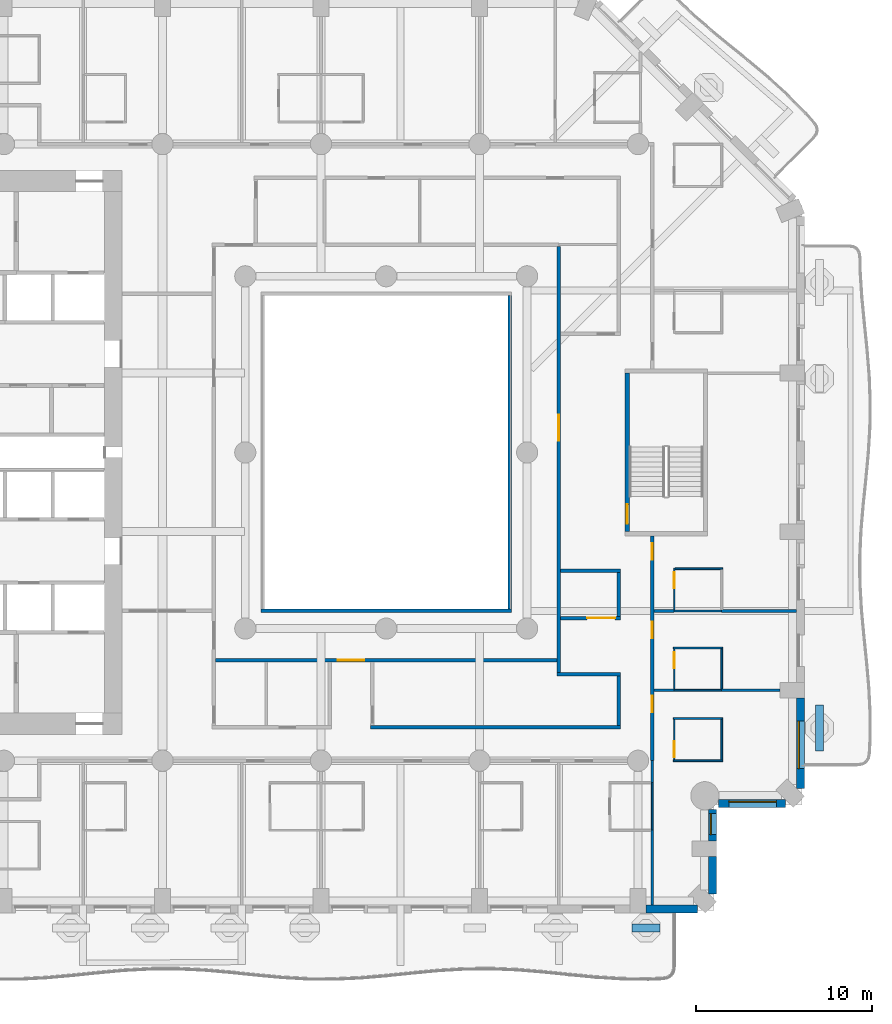
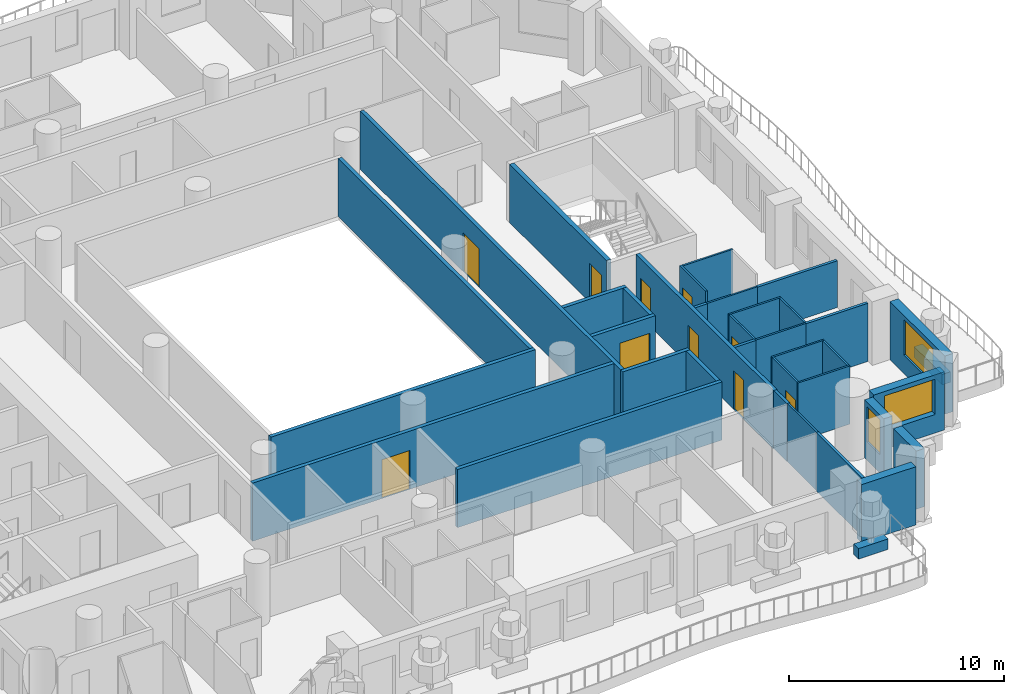
# One storey, part 6 of 20: 37 walls, 10 doors, 3 windows, 13 openings.
"""IFC4 building model written with IfcOpenShell, lengths in metres."""

import ifcopenshell
import ifcopenshell.guid

model = None  # the IFC model being written
_history = None  # IfcOwnerHistory: only IFC2X3 demands one
_inside = {}  # id of a spatial element -> (the spatial element, [elements in it])
_under = {}  # id of a project, library or spatial element -> (it, [spatial elements below it])
_declared = {}  # id of a project -> (the project, [libraries it declares])
_typed = {}  # id of a type object -> (the type object, [elements of that type])
_made_of = {}  # id of a material, layer set ... -> (it, [elements and type objects made of it])


def new_model(schema):
    """Start an empty IFC model of exactly this schema.

    Asked for "IFC4X3", IfcOpenShell would pick the latest addendum, in which some entities
    have other attributes; the version numbers below select the first issue.
    IFC2X3 requires an IfcOwnerHistory on every rooted entity: one is made here for all.
    """
    global model, _history
    if schema == "IFC4X3":
        model = ifcopenshell.file(schema_version=(4, 3, 0, 0))
    else:
        model = ifcopenshell.file(schema=schema)
    _inside.clear()
    _under.clear()
    _declared.clear()
    _typed.clear()
    _made_of.clear()
    _history = None
    if model.schema == "IFC2X3":
        org = make("IfcOrganization", Name="unknown")
        user = make(
            "IfcPersonAndOrganization",
            ThePerson=make("IfcPerson", FamilyName="unknown"),
            TheOrganization=org,
        )
        app = make(
            "IfcApplication",
            ApplicationDeveloper=org,
            Version="unknown",
            ApplicationFullName="unknown",
            ApplicationIdentifier="unknown",
        )
        _history = make(
            "IfcOwnerHistory",
            OwningUser=user,
            OwningApplication=app,
            ChangeAction="ADDED",
            CreationDate=0,
        )
    return model


def make(cls, **values):
    """One entity of the class cls with the attributes given. An attribute that is None is left unset."""
    return model.create_entity(
        cls, **{name: value for name, value in values.items() if value is not None}
    )


def rooted(cls, **values):
    """An entity with a GlobalId (a new one), such as an element, a storey or a relation."""
    return make(cls, GlobalId=ifcopenshell.guid.new(), OwnerHistory=_history, **values)


def si_unit(unit_type, name, prefix=None):
    """IfcSIUnit, for example si_unit("LENGTHUNIT", "METRE", prefix="MILLI")."""
    return make("IfcSIUnit", UnitType=unit_type, Prefix=prefix, Name=name)


def assignment(units):
    """IfcUnitAssignment: the units of a project."""
    return None if units is None else make("IfcUnitAssignment", Units=units)


def point(xyz):
    """IfcCartesianPoint."""
    return None if xyz is None else make("IfcCartesianPoint", Coordinates=xyz)


def direction(xyz):
    """IfcDirection."""
    return None if xyz is None else make("IfcDirection", DirectionRatios=xyz)


def frame(location, z_axis=None, x_axis=None):
    """IfcAxis2Placement3D, a coordinate frame: its origin and axes. An axis left out is left unset."""
    return make(
        "IfcAxis2Placement3D",
        Location=point(location),
        Axis=direction(z_axis),
        RefDirection=direction(x_axis),
    )


def frame_2d(location, x_axis=None):
    """IfcAxis2Placement2D, a coordinate frame in the plane: its origin and x axis."""
    return make(
        "IfcAxis2Placement2D", Location=point(location), RefDirection=direction(x_axis)
    )


def origin():
    """The frame at (0, 0, 0) with its axes left unset."""
    return frame((0.0, 0.0, 0.0))


def place(relative_to, where):
    """IfcLocalPlacement: puts the frame where relative to a parent placement (None: the world)."""
    return make(
        "IfcLocalPlacement", PlacementRelTo=relative_to, RelativePlacement=where
    )


def context(
    kind, dimensions, precision=None, world=None, true_north=None, identifier=None
):
    """IfcGeometricRepresentationContext, for example the 3D "Model" context."""
    return make(
        "IfcGeometricRepresentationContext",
        ContextIdentifier=identifier,
        ContextType=kind,
        CoordinateSpaceDimension=dimensions,
        Precision=precision,
        WorldCoordinateSystem=world,
        TrueNorth=true_north,
    )


def subcontext(parent, identifier, kind, view, scale=None):
    """IfcGeometricRepresentationSubContext, for example "Body" below "Model"."""
    return make(
        "IfcGeometricRepresentationSubContext",
        ContextIdentifier=identifier,
        ContextType=kind,
        ParentContext=parent,
        TargetScale=scale,
        TargetView=view,
    )


def project(units=None, contexts=None):
    """IfcProject with its units and contexts."""
    return rooted(
        "IfcProject",
        Name="project",
        RepresentationContexts=contexts,
        UnitsInContext=assignment(units),
    )


def spatial(cls, under=None, at=None, **own):
    """A site, building, storey or space (cls), placed at a placement, below another one or the project."""
    s = rooted(cls, ObjectPlacement=at, **own)
    if under is not None:
        _under.setdefault(under.id(), (under, []))[1].append(s)
    return s


def profile(cls, at=None, kind="AREA", **sizes):
    """A parametric profile (cls). Its sizes go by their IFC names, for example OverallWidth=200.0."""
    return make(cls, ProfileType=kind, Position=at, **sizes)


def rectangle(**sizes):
    """IfcRectangleProfileDef."""
    return profile("IfcRectangleProfileDef", **sizes)


def extrude(swept, where, along, depth):
    """IfcExtrudedAreaSolid: the profile swept, set in the frame where, extruded along a direction by depth."""
    return make(
        "IfcExtrudedAreaSolid",
        SweptArea=swept,
        Position=where,
        ExtrudedDirection=direction(along),
        Depth=depth,
    )


def shape(context_of_items, identifier, shape_type, items):
    """IfcShapeRepresentation: the items that make up one representation, for example the "Body"."""
    return make(
        "IfcShapeRepresentation",
        ContextOfItems=context_of_items,
        RepresentationIdentifier=identifier,
        RepresentationType=shape_type,
        Items=items,
    )


def material(Name=None, Category=None):
    """IfcMaterial."""
    return make("IfcMaterial", Name=Name, Category=Category)


def layer(
    of_material, thickness, ventilated=None, Name=None, Category=None, Priority=None
):
    """IfcMaterialLayer: one layer of a wall or slab, of a material (None: an air gap)."""
    return make(
        "IfcMaterialLayer",
        Material=of_material,
        LayerThickness=thickness,
        IsVentilated=ventilated,
        Name=Name,
        Category=Category,
        Priority=Priority,
    )


def layer_set(layers, Name=None):
    """IfcMaterialLayerSet."""
    return make("IfcMaterialLayerSet", MaterialLayers=layers, LayerSetName=Name)


def made_of(thing, what):
    """Note that an element or type object is made of a material, layer set ...; save() writes the relation."""
    if what is not None:
        _made_of.setdefault(what.id(), (what, []))[1].append(thing)
    return thing


def type_object(cls, material=None, **own):
    """A type object (cls), such as IfcWallType, which elements share."""
    return made_of(rooted(cls, **own), material)


def element(
    cls,
    number,
    at=None,
    inside=None,
    cuts=None,
    type_object=None,
    material=None,
    context=None,
    identifier="Body",
    shape_type=None,
    held_by="IfcProductDefinitionShape",
    body=None,
    shapes=None,
    **own,
):
    """One element of the class cls, such as IfcWall. Its Tag is "e" and its number.

    at: its placement. inside: the storey or other place that contains it. cuts: it is an
    opening in that element (IfcRelVoidsElement). A single representation is given by context,
    identifier, shape_type and body (its items); several are given by shapes. held_by: the class
    of the entity that holds the representations. save() writes the other relations.
    """
    e = rooted(cls, Tag="e%d" % number, ObjectPlacement=at, **own)
    if body is not None:
        shapes = [shape(context, identifier, shape_type, body)]
    if shapes is not None:
        e.Representation = make(held_by, Representations=shapes)
    if inside is not None:
        _inside.setdefault(inside.id(), (inside, []))[1].append(e)
    if cuts is not None:
        rooted(
            "IfcRelVoidsElement", RelatingBuildingElement=cuts, RelatedOpeningElement=e
        )
    if type_object is not None:
        _typed.setdefault(type_object.id(), (type_object, []))[1].append(e)
    return made_of(e, material)


def fill(opening, filler):
    """IfcRelFillsElement: the door or window that sits in an opening."""
    return rooted(
        "IfcRelFillsElement",
        RelatingOpeningElement=opening,
        RelatedBuildingElement=filler,
    )


def aggregate(whole, parts):
    """IfcRelAggregates: a whole, such as a stair, and the parts it consists of."""
    return rooted("IfcRelAggregates", RelatingObject=whole, RelatedObjects=parts)


def save(model, path):
    """Write the relations noted so far, then the file.

    IfcRelAggregates (storeys below a building ...), IfcRelContainedInSpatialStructure (elements
    in a storey), IfcRelDefinesByType, IfcRelAssociatesMaterial and IfcRelDeclares: one each for
    every whole, place, type object, material and project.
    """
    for whole, parts in _under.values():
        aggregate(whole, parts)
    for where, things in _inside.values():
        rooted(
            "IfcRelContainedInSpatialStructure",
            RelatedElements=things,
            RelatingStructure=where,
        )
    for kind, things in _typed.values():
        rooted("IfcRelDefinesByType", RelatedObjects=things, RelatingType=kind)
    for what, things in _made_of.values():
        rooted("IfcRelAssociatesMaterial", RelatedObjects=things, RelatingMaterial=what)
    for by, libraries in _declared.values():
        rooted("IfcRelDeclares", RelatingContext=by, RelatedDefinitions=libraries)
    model.write(path)


model = new_model("IFC4")

# Units and contexts
model_context = context("Model", 3, precision=1e-05, world=origin(), true_north=direction((0.0, 1.0)))
body_context = subcontext(model_context, "Body", "Model", "MODEL_VIEW")
ifc_project = project(units=[si_unit("LENGTHUNIT", "METRE"), si_unit("AREAUNIT", "SQUARE_METRE"), si_unit("VOLUMEUNIT", "CUBIC_METRE"), si_unit("PLANEANGLEUNIT", "RADIAN"), si_unit("MASSUNIT", "GRAM", prefix="KILO")], contexts=[model_context])

# Site, building, storey
site_placement = place(None, origin())
site = spatial("IfcSite", under=ifc_project, at=site_placement, CompositionType="ELEMENT")
building_placement = place(site_placement, origin())
building = spatial("IfcBuilding", under=site, at=building_placement, Name="Cypress Arch Tower", CompositionType="ELEMENT")
storey_placement = place(building_placement, frame((0.0, 0.0, 95.10009765625)))
storey = spatial("IfcBuildingStorey", under=building, at=storey_placement, Name="L18", CompositionType="ELEMENT", Elevation=95.10009765625)

# Walls
ifc_material_1 = material(Name="Concrete C40/50, waterproofed", Category="concrete")
ifc_layer_1 = layer(ifc_material_1, 0.449951171875)
ifc_layer_set_1 = layer_set([ifc_layer_1], Name="Balcony planter wall PW450")
wall_type_1 = type_object("IfcWallType", Name="Balcony planter wall PW450", PredefinedType="SOLIDWALL", material=ifc_layer_set_1)
wall_1_placement = place(storey_placement, frame((14.949951171875, -27.0, 0.0), z_axis=(0.0, 0.0, 1.0), x_axis=(1.0, 0.0, 0.0)))
element("IfcWall", 1, at=wall_1_placement, inside=storey, type_object=wall_type_1, Name="Balcony planter wall L18-A03.7", PredefinedType="SOLIDWALL", context=body_context, shape_type="SweptSolid", body=[
    extrude(rectangle(XDim=1.60009765625, YDim=0.449951171875, at=frame_2d((0.800048828125, 0.0))), origin(), (0.0, 0.0, 1.0), 0.599853515625),
])
wall_2_placement = place(storey_placement, frame((25.60009765625, -16.949951171875, 0.0), z_axis=(0.0, 0.0, 1.0), x_axis=(0.0, 1.0, 0.0)))
element("IfcWall", 2, at=wall_2_placement, inside=storey, type_object=wall_type_1, Name="Balcony planter wall L18-A06.1", PredefinedType="SOLIDWALL", context=body_context, shape_type="SweptSolid", body=[
    extrude(rectangle(XDim=2.6142578125, YDim=0.449951171875, at=frame_2d((1.30712890625, 0.0))), origin(), (0.0, 0.0, 1.0), 0.599853515625),
])
ifc_material_2 = material(Name="Brick (red buff blend)", Category="masonry")
ifc_layer_2 = layer(ifc_material_2, 0.449951171875)
ifc_layer_set_2 = layer_set([ifc_layer_2], Name="Brick pier and spandrel wall BW450")
wall_type_2 = type_object("IfcWallType", Name="Brick pier and spandrel wall BW450", PredefinedType="SOLIDWALL", material=ifc_layer_set_2)
wall_3_placement = place(storey_placement, frame((15.75, -25.925048828125, 0.0), z_axis=(0.0, 0.0, 1.0), x_axis=(1.0, 0.0, 0.0)))
element("IfcWall", 3, at=wall_3_placement, inside=storey, type_object=wall_type_2, Name="Brick wall L18 A03.5", PredefinedType="SOLIDWALL", context=body_context, shape_type="SweptSolid", body=[
    extrude(rectangle(XDim=2.91357421875, YDim=0.449951171875, at=frame_2d((1.456787109375, 0.0))), origin(), (0.0, 0.0, 1.0), 3.2998046875),
])
wall_4_placement = place(storey_placement, frame((19.52490234375, -25.063720703125, 0.0), z_axis=(0.0, 0.0, 1.0), x_axis=(0.0, 1.0, 0.0)))
element("IfcWall", 4, at=wall_4_placement, inside=storey, type_object=wall_type_2, Name="Brick wall L18 A04.0", PredefinedType="SOLIDWALL", context=body_context, shape_type="SweptSolid", body=[
    extrude(rectangle(XDim=2.11376953125, YDim=0.449951171875, at=frame_2d((1.056884765625, 0.0))), origin(), (0.0, 0.0, 1.0), 3.2998046875),
])

# Wall, opening, window
wall_5_placement = place(storey_placement, frame((19.52490234375, -22.050048828125, 0.0), z_axis=(0.0, 0.0, 1.0), x_axis=(0.0, 1.0, 0.0)))
wall_5 = element("IfcWall", 5, at=wall_5_placement, inside=storey, type_object=wall_type_2, Name="Brick wall L18 A04.1", PredefinedType="SOLIDWALL", context=body_context, shape_type="SweptSolid", body=[
    extrude(rectangle(XDim=1.79150390625, YDim=0.449951171875, at=frame_2d((0.895751953125, 0.0))), origin(), (0.0, 0.0, 1.0), 3.2998046875),
])
opening_1_placement = place(wall_5_placement, frame((0.35009765625, 0.0, 1.050048828125)))
opening_1 = element("IfcOpeningElement", 6, at=opening_1_placement, cuts=wall_5, Name="Opening W120H", PredefinedType="OPENING", context=body_context, shape_type="SweptSolid", body=[
    extrude(rectangle(XDim=1.199951171875, YDim=2.0, at=frame_2d((0.60009765625, 1.0))), frame((0.0, 0.23486328125, 0.0), z_axis=(0.0, -1.0, 0.0), x_axis=(1.0, 0.0, 0.0)), (0.0, 0.0, 1.0), 0.469970703125),
])
ifc_material_3 = material(Name="Anodised aluminium, bronze finish, clear low-emissivity double glazing", Category="aluminium")
window_type_1 = type_object("IfcWindowType", Name="Window Hotel 1200x2000", PartitioningType="SINGLE_PANEL", PredefinedType="WINDOW", material=ifc_material_3)
window_1_placement = place(opening_1_placement, origin())
window_1 = element("IfcWindow", 7, at=window_1_placement, inside=storey, type_object=window_type_1, Name="Window L18 A04.1.1", OverallHeight=2.0, OverallWidth=1.199951171875, PartitioningType="SINGLE_PANEL", PredefinedType="WINDOW", context=body_context, shape_type="SweptSolid", body=[
    extrude(rectangle(XDim=1.199951171875, YDim=2.0, at=frame_2d((0.60009765625, 1.0))), frame((0.0, 0.135009765625, 0.0), z_axis=(0.0, -1.0, 0.0), x_axis=(1.0, 0.0, 0.0)), (0.0, 0.0, 1.0), 0.06005859375),
])
fill(opening_1, window_1)

wall_6_placement = place(storey_placement, frame((19.8583984375, -19.925048828125, 0.0), z_axis=(0.0, 0.0, 1.0), x_axis=(1.0, 0.0, 0.0)))
wall_6 = element("IfcWall", 8, at=wall_6_placement, inside=storey, type_object=wall_type_2, Name="Brick wall L18 A05.0", PredefinedType="SOLIDWALL", context=body_context, shape_type="SweptSolid", body=[
    extrude(rectangle(XDim=3.80517578125, YDim=0.449951171875, at=frame_2d((1.902587890625, 0.0))), origin(), (0.0, 0.0, 1.0), 3.2998046875),
])
opening_2_placement = place(wall_6_placement, frame((0.591552734375, 0.0, 1.050048828125)))
opening_2 = element("IfcOpeningElement", 9, at=opening_2_placement, cuts=wall_6, Name="Opening W270H", PredefinedType="OPENING", context=body_context, shape_type="SweptSolid", body=[
    extrude(rectangle(XDim=2.699951171875, YDim=2.0, at=frame_2d((1.35009765625, 1.0))), frame((0.0, 0.23486328125, 0.0), z_axis=(0.0, -1.0, 0.0), x_axis=(1.0, 0.0, 0.0)), (0.0, 0.0, 1.0), 0.469970703125),
])
ifc_material_4 = material(Name="Anodised aluminium, bronze finish, clear low-emissivity double glazing", Category="aluminium")
window_type_2 = type_object("IfcWindowType", Name="Window Hotel 2700x2000", PartitioningType="SINGLE_PANEL", PredefinedType="WINDOW", material=ifc_material_4)
window_2_placement = place(opening_2_placement, origin())
window_2 = element("IfcWindow", 10, at=window_2_placement, inside=storey, type_object=window_type_2, Name="Window L18 A05.0.1", OverallHeight=2.0, OverallWidth=2.699951171875, PartitioningType="SINGLE_PANEL", PredefinedType="WINDOW", context=body_context, shape_type="SweptSolid", body=[
    extrude(rectangle(XDim=2.699951171875, YDim=2.0, at=frame_2d((1.35009765625, 1.0))), frame((0.0, 0.135009765625, 0.0), z_axis=(0.0, -1.0, 0.0), x_axis=(1.0, 0.0, 0.0)), (0.0, 0.0, 1.0), 0.06005859375),
])
fill(opening_2, window_2)

wall_7_placement = place(storey_placement, frame((24.52490234375, -19.063720703125, 0.0), z_axis=(0.0, 0.0, 1.0), x_axis=(0.0, 1.0, 0.0)))
wall_7 = element("IfcWall", 11, at=wall_7_placement, inside=storey, type_object=wall_type_2, Name="Brick wall L18 A06.0", PredefinedType="SOLIDWALL", context=body_context, shape_type="SweptSolid", body=[
    extrude(rectangle(XDim=5.11376953125, YDim=0.449951171875, at=frame_2d((2.556884765625, 0.0))), origin(), (0.0, 0.0, 1.0), 3.2998046875),
])
opening_3_placement = place(wall_7_placement, frame((1.113525390625, 0.0, 1.050048828125)))
opening_3 = element("IfcOpeningElement", 12, at=opening_3_placement, cuts=wall_7, Name="Opening W270HD", PredefinedType="OPENING", context=body_context, shape_type="SweptSolid", body=[
    extrude(rectangle(XDim=2.699951171875, YDim=2.0, at=frame_2d((1.35009765625, 1.0))), frame((0.0, 0.23486328125, 0.0), z_axis=(0.0, -1.0, 0.0), x_axis=(1.0, 0.0, 0.0)), (0.0, 0.0, 1.0), 0.469970703125),
])
ifc_material_5 = material(Name="Anodised aluminium, bronze finish, laminated low-emissivity double glazing, large-missile impact rated", Category="aluminium")
window_type_3 = type_object("IfcWindowType", Name="Window Hotel 2700x2000 debris-rated", PartitioningType="SINGLE_PANEL", PredefinedType="WINDOW", material=ifc_material_5)
window_3_placement = place(opening_3_placement, origin())
window_3 = element("IfcWindow", 13, at=window_3_placement, inside=storey, type_object=window_type_3, Name="Window L18 A06.0.1", OverallHeight=2.0, OverallWidth=2.699951171875, PartitioningType="SINGLE_PANEL", PredefinedType="WINDOW", context=body_context, shape_type="SweptSolid", body=[
    extrude(rectangle(XDim=2.699951171875, YDim=2.0, at=frame_2d((1.35009765625, 1.0))), frame((0.0, 0.135009765625, 0.0), z_axis=(0.0, -1.0, 0.0), x_axis=(1.0, 0.0, 0.0)), (0.0, 0.0, 1.0), 0.06005859375),
])
fill(opening_3, window_3)

# Wall, opening, door
ifc_material_6 = material(Name="Concrete blockwork, plastered, rated", Category="masonry")
ifc_layer_3 = layer(ifc_material_6, 0.199951171875)
ifc_layer_set_3 = layer_set([ifc_layer_3], Name="Corridor wall FW200")
wall_type_3 = type_object("IfcWallType", Name="Corridor wall FW200", PredefinedType="PARTITIONING", material=ifc_layer_set_3)
wall_8_placement = place(storey_placement, frame((-8.699951171875, -11.800048828125, 0.0), z_axis=(0.0, 0.0, 1.0), x_axis=(1.0, 0.0, 0.0)))
wall_8 = element("IfcWall", 14, at=wall_8_placement, inside=storey, type_object=wall_type_3, Name="Corridor wall", PredefinedType="PARTITIONING", context=body_context, shape_type="SweptSolid", body=[
    extrude(rectangle(XDim=19.39990234375, YDim=0.199951171875, at=frame_2d((9.699951171875, 0.0))), origin(), (0.0, 0.0, 1.0), 3.2998046875),
])
opening_4_placement = place(wall_8_placement, frame((6.949951171875, 0.0, 0.0)))
opening_4 = element("IfcOpeningElement", 15, at=opening_4_placement, cuts=wall_8, Name="Opening D04", PredefinedType="OPENING", context=body_context, shape_type="SweptSolid", body=[
    extrude(rectangle(XDim=1.5, YDim=2.199951171875, at=frame_2d((0.75, 1.10009765625))), frame((0.0, 0.10986328125, 0.0), z_axis=(0.0, -1.0, 0.0), x_axis=(1.0, 0.0, 0.0)), (0.0, 0.0, 1.0), 0.219970703125),
])
ifc_material_7 = material(Name="Timber double door", Category="wood")
door_type_1 = type_object("IfcDoorType", Name="Double door D04 1500x2200", OperationType="DOUBLE_DOOR_SINGLE_SWING", PredefinedType="DOOR", material=ifc_material_7)
door_1_placement = place(opening_4_placement, origin())
door_1 = element("IfcDoor", 16, at=door_1_placement, inside=storey, type_object=door_type_1, Name="Double door", OperationType="DOUBLE_DOOR_SINGLE_SWING", OverallHeight=2.199951171875, OverallWidth=1.5, PredefinedType="DOOR", context=body_context, shape_type="SweptSolid", body=[
    extrude(rectangle(XDim=1.5, YDim=2.199951171875, at=frame_2d((0.75, 1.10009765625))), frame((0.0, 0.02490234375, 0.0), z_axis=(0.0, -1.0, 0.0), x_axis=(1.0, 0.0, 0.0)), (0.0, 0.0, 1.0), 0.050048828125),
])
fill(opening_4, door_1)

# Walls
wall_9_placement = place(storey_placement, frame((-6.10009765625, -9.0, 0.0), z_axis=(0.0, 0.0, 1.0), x_axis=(1.0, 0.0, 0.0)))
element("IfcWall", 17, at=wall_9_placement, inside=storey, type_object=wall_type_3, Name="Corridor wall", PredefinedType="PARTITIONING", context=body_context, shape_type="SweptSolid", body=[
    extrude(rectangle(XDim=14.2001953125, YDim=0.199951171875, at=frame_2d((7.10009765625, 0.0))), origin(), (0.0, 0.0, 1.0), 3.2998046875),
])
wall_10_placement = place(storey_placement, frame((0.10009765625, -15.60009765625, 0.0), z_axis=(0.0, 0.0, 1.0), x_axis=(1.0, 0.0, 0.0)))
element("IfcWall", 18, at=wall_10_placement, inside=storey, type_object=wall_type_3, Name="Corridor wall", PredefinedType="PARTITIONING", context=body_context, shape_type="SweptSolid", body=[
    extrude(rectangle(XDim=14.199951171875, YDim=0.199951171875, at=frame_2d((7.10009765625, 0.0))), origin(), (0.0, 0.0, 1.0), 3.2998046875),
])
wall_11_placement = place(storey_placement, frame((8.0, -8.89990234375, 0.0), z_axis=(0.0, 0.0, 1.0), x_axis=(0.0, 1.0, 0.0)))
element("IfcWall", 19, at=wall_11_placement, inside=storey, type_object=wall_type_3, Name="Corridor wall", PredefinedType="PARTITIONING", context=body_context, shape_type="SweptSolid", body=[
    extrude(rectangle(XDim=17.7998046875, YDim=0.199951171875, at=frame_2d((8.89990234375, 0.0))), origin(), (0.0, 0.0, 1.0), 3.2998046875),
])

# Wall, opening, door
wall_12_placement = place(storey_placement, frame((10.799072265625, -12.5, 0.0), z_axis=(0.0, 0.0, 1.0), x_axis=(0.0, 1.0, 0.0)))
wall_12 = element("IfcWall", 20, at=wall_12_placement, inside=storey, type_object=wall_type_3, Name="Corridor wall", PredefinedType="PARTITIONING", context=body_context, shape_type="SweptSolid", body=[
    extrude(rectangle(XDim=24.199951171875, YDim=0.199951171875, at=frame_2d((12.10009765625, 0.0))), origin(), (0.0, 0.0, 1.0), 3.2998046875),
])
opening_5_placement = place(wall_12_placement, frame((13.14990234375, 0.0, 0.0)))
opening_5 = element("IfcOpeningElement", 21, at=opening_5_placement, cuts=wall_12, Name="Opening D04", PredefinedType="OPENING", context=body_context, shape_type="SweptSolid", body=[
    extrude(rectangle(XDim=1.5, YDim=2.199951171875, at=frame_2d((0.75, 1.10009765625))), frame((0.0, 0.10986328125, 0.0), z_axis=(0.0, -1.0, 0.0), x_axis=(1.0, 0.0, 0.0)), (0.0, 0.0, 1.0), 0.219970703125),
])
door_2_placement = place(opening_5_placement, origin())
door_2 = element("IfcDoor", 22, at=door_2_placement, inside=storey, type_object=door_type_1, Name="Double door", OperationType="DOUBLE_DOOR_SINGLE_SWING", OverallHeight=2.199951171875, OverallWidth=1.5, PredefinedType="DOOR", context=body_context, shape_type="SweptSolid", body=[
    extrude(rectangle(XDim=1.5, YDim=2.199951171875, at=frame_2d((0.75, 1.10009765625))), frame((0.0, 0.02490234375, 0.0), z_axis=(0.0, -1.0, 0.0), x_axis=(1.0, 0.0, 0.0)), (0.0, 0.0, 1.0), 0.050048828125),
])
fill(opening_5, door_2)

# Wall
wall_13_placement = place(storey_placement, frame((10.698974609375, -12.60009765625, 0.0), z_axis=(0.0, 0.0, 1.0), x_axis=(1.0, 0.0, 0.0)))
element("IfcWall", 23, at=wall_13_placement, inside=storey, type_object=wall_type_3, Name="Corridor wall", PredefinedType="PARTITIONING", context=body_context, shape_type="SweptSolid", body=[
    extrude(rectangle(XDim=3.60107421875, YDim=0.199951171875, at=frame_2d((1.800537109375, 0.0))), origin(), (0.0, 0.0, 1.0), 3.2998046875),
])

# Wall, opening, door
wall_14_placement = place(storey_placement, frame((10.89990234375, -9.39990234375, 0.0), z_axis=(0.0, 0.0, 1.0), x_axis=(1.0, 0.0, 0.0)))
wall_14 = element("IfcWall", 24, at=wall_14_placement, inside=storey, type_object=wall_type_3, Name="Corridor wall", PredefinedType="PARTITIONING", context=body_context, shape_type="SweptSolid", body=[
    extrude(rectangle(XDim=3.400146484375, YDim=0.199951171875, at=frame_2d((1.7001953125, 0.0))), origin(), (0.0, 0.0, 1.0), 3.2998046875),
])
opening_6_placement = place(wall_14_placement, frame((1.5, 0.0, 0.0)))
opening_6 = element("IfcOpeningElement", 25, at=opening_6_placement, cuts=wall_14, Name="Opening D10", PredefinedType="OPENING", context=body_context, shape_type="SweptSolid", body=[
    extrude(rectangle(XDim=1.60009765625, YDim=2.39990234375, at=frame_2d((0.800048828125, 1.199951171875))), frame((0.0, 0.10986328125, 0.0), z_axis=(0.0, -1.0, 0.0), x_axis=(1.0, 0.0, 0.0)), (0.0, 0.0, 1.0), 0.219970703125),
])
ifc_material_8 = material(Name="Black aluminium glazed door", Category="aluminium")
door_type_2 = type_object("IfcDoorType", Name="Amenity door D10 1600x2400", OperationType="DOUBLE_DOOR_SINGLE_SWING", PredefinedType="DOOR", material=ifc_material_8)
door_3_placement = place(opening_6_placement, origin())
door_3 = element("IfcDoor", 26, at=door_3_placement, inside=storey, type_object=door_type_2, Name="Amenity door", OperationType="DOUBLE_DOOR_SINGLE_SWING", OverallHeight=2.39990234375, OverallWidth=1.60009765625, PredefinedType="DOOR", context=body_context, shape_type="SweptSolid", body=[
    extrude(rectangle(XDim=1.60009765625, YDim=2.39990234375, at=frame_2d((0.800048828125, 1.199951171875))), frame((0.0, 0.02490234375, 0.0), z_axis=(0.0, -1.0, 0.0), x_axis=(1.0, 0.0, 0.0)), (0.0, 0.0, 1.0), 0.050048828125),
])
fill(opening_6, door_3)

# Walls
wall_15_placement = place(storey_placement, frame((10.89990234375, -6.72509765625, 0.0), z_axis=(0.0, 0.0, 1.0), x_axis=(1.0, 0.0, 0.0)))
element("IfcWall", 27, at=wall_15_placement, inside=storey, type_object=wall_type_3, Name="Corridor wall", PredefinedType="PARTITIONING", context=body_context, shape_type="SweptSolid", body=[
    extrude(rectangle(XDim=3.400146484375, YDim=0.199951171875, at=frame_2d((1.7001953125, 0.0))), origin(), (0.0, 0.0, 1.0), 3.2998046875),
])
wall_16_placement = place(storey_placement, frame((14.199951171875, -15.5, 0.0), z_axis=(0.0, 0.0, 1.0), x_axis=(0.0, 1.0, 0.0)))
element("IfcWall", 28, at=wall_16_placement, inside=storey, type_object=wall_type_3, Name="Corridor wall", PredefinedType="PARTITIONING", context=body_context, shape_type="SweptSolid", body=[
    extrude(rectangle(XDim=2.800048828125, YDim=0.199951171875, at=frame_2d((1.39990234375, 0.0))), origin(), (0.0, 0.0, 1.0), 3.2998046875),
])
wall_17_placement = place(storey_placement, frame((14.199951171875, -9.300048828125, 0.0), z_axis=(0.0, 0.0, 1.0), x_axis=(0.0, 1.0, 0.0)))
element("IfcWall", 29, at=wall_17_placement, inside=storey, type_object=wall_type_3, Name="Corridor wall", PredefinedType="PARTITIONING", context=body_context, shape_type="SweptSolid", body=[
    extrude(rectangle(XDim=2.47509765625, YDim=0.199951171875, at=frame_2d((1.237548828125, 0.0))), origin(), (0.0, 0.0, 1.0), 3.2998046875),
])

# Wall, openings, doors
wall_18_placement = place(storey_placement, frame((16.10009765625, -17.5, 0.0), z_axis=(0.0, 0.0, 1.0), x_axis=(0.0, 1.0, 0.0)))
wall_18 = element("IfcWall", 30, at=wall_18_placement, inside=storey, type_object=wall_type_3, Name="Corridor wall", PredefinedType="PARTITIONING", context=body_context, shape_type="SweptSolid", body=[
    extrude(rectangle(XDim=12.75, YDim=0.199951171875, at=frame_2d((6.375, 0.0))), origin(), (0.0, 0.0, 1.0), 3.2998046875),
])
opening_7_placement = place(wall_18_placement, frame((2.75, 0.0, 0.0)))
opening_7 = element("IfcOpeningElement", 31, at=opening_7_placement, cuts=wall_18, Name="Opening D02", PredefinedType="OPENING", context=body_context, shape_type="SweptSolid", body=[
    extrude(rectangle(XDim=0.949951171875, YDim=2.199951171875, at=frame_2d((0.47509765625, 1.10009765625))), frame((0.0, 0.10986328125, 0.0), z_axis=(0.0, -1.0, 0.0), x_axis=(1.0, 0.0, 0.0)), (0.0, 0.0, 1.0), 0.219970703125),
])
opening_8_placement = place(wall_18_placement, frame((6.949951171875, 0.0, 0.0)))
opening_8 = element("IfcOpeningElement", 32, at=opening_8_placement, cuts=wall_18, Name="Opening D02", PredefinedType="OPENING", context=body_context, shape_type="SweptSolid", body=[
    extrude(rectangle(XDim=0.949951171875, YDim=2.199951171875, at=frame_2d((0.47509765625, 1.10009765625))), frame((0.0, 0.10986328125, 0.0), z_axis=(0.0, -1.0, 0.0), x_axis=(1.0, 0.0, 0.0)), (0.0, 0.0, 1.0), 0.219970703125),
])
opening_9_placement = place(wall_18_placement, frame((11.39990234375, 0.0, 0.0)))
opening_9 = element("IfcOpeningElement", 33, at=opening_9_placement, cuts=wall_18, Name="Opening D02", PredefinedType="OPENING", context=body_context, shape_type="SweptSolid", body=[
    extrude(rectangle(XDim=0.949951171875, YDim=2.199951171875, at=frame_2d((0.47509765625, 1.10009765625))), frame((0.0, 0.10986328125, 0.0), z_axis=(0.0, -1.0, 0.0), x_axis=(1.0, 0.0, 0.0)), (0.0, 0.0, 1.0), 0.219970703125),
])
ifc_material_9 = material(Name="Timber flush door, fire resisting", Category="wood")
door_type_3 = type_object("IfcDoorType", Name="Room door D02 950x2200", OperationType="SINGLE_SWING_LEFT", PredefinedType="DOOR", material=ifc_material_9)
door_4_placement = place(opening_7_placement, origin())
door_4 = element("IfcDoor", 34, at=door_4_placement, inside=storey, type_object=door_type_3, Name="Room door", OperationType="SINGLE_SWING_LEFT", OverallHeight=2.199951171875, OverallWidth=0.949951171875, PredefinedType="DOOR", context=body_context, shape_type="SweptSolid", body=[
    extrude(rectangle(XDim=0.949951171875, YDim=2.199951171875, at=frame_2d((0.47509765625, 1.10009765625))), frame((0.0, 0.02490234375, 0.0), z_axis=(0.0, -1.0, 0.0), x_axis=(1.0, 0.0, 0.0)), (0.0, 0.0, 1.0), 0.050048828125),
])
fill(opening_7, door_4)
door_5_placement = place(opening_8_placement, origin())
door_5 = element("IfcDoor", 35, at=door_5_placement, inside=storey, type_object=door_type_3, Name="Room door", OperationType="SINGLE_SWING_LEFT", OverallHeight=2.199951171875, OverallWidth=0.949951171875, PredefinedType="DOOR", context=body_context, shape_type="SweptSolid", body=[
    extrude(rectangle(XDim=0.949951171875, YDim=2.199951171875, at=frame_2d((0.47509765625, 1.10009765625))), frame((0.0, 0.02490234375, 0.0), z_axis=(0.0, -1.0, 0.0), x_axis=(1.0, 0.0, 0.0)), (0.0, 0.0, 1.0), 0.050048828125),
])
fill(opening_8, door_5)
door_6_placement = place(opening_9_placement, origin())
door_6 = element("IfcDoor", 36, at=door_6_placement, inside=storey, type_object=door_type_3, Name="Room door", OperationType="SINGLE_SWING_LEFT", OverallHeight=2.199951171875, OverallWidth=0.949951171875, PredefinedType="DOOR", context=body_context, shape_type="SweptSolid", body=[
    extrude(rectangle(XDim=0.949951171875, YDim=2.199951171875, at=frame_2d((0.47509765625, 1.10009765625))), frame((0.0, 0.02490234375, 0.0), z_axis=(0.0, -1.0, 0.0), x_axis=(1.0, 0.0, 0.0)), (0.0, 0.0, 1.0), 0.050048828125),
])
fill(opening_9, door_6)

# Walls
ifc_material_10 = material(Name="Blockwork, plastered both sides", Category="masonry")
ifc_layer_4 = layer(ifc_material_10, 0.14990234375)
ifc_layer_set_4 = layer_set([ifc_layer_4], Name="Partition PW150")
wall_type_4 = type_object("IfcWallType", Name="Partition PW150", PredefinedType="PARTITIONING", material=ifc_layer_set_4)
wall_19_placement = place(storey_placement, frame((16.10009765625, -25.699951171875, 0.0), z_axis=(0.0, 0.0, 1.0), x_axis=(0.0, 1.0, 0.0)))
element("IfcWall", 37, at=wall_19_placement, inside=storey, type_object=wall_type_4, Name="Partition", PredefinedType="PARTITIONING", context=body_context, shape_type="SweptSolid", body=[
    extrude(rectangle(XDim=4.27001953125, YDim=0.14990234375, at=frame_2d((2.135009765625, 0.0))), origin(), (0.0, 0.0, 1.0), 3.2998046875),
])
wall_20_placement = place(storey_placement, frame((16.10009765625, -18.72998046875, 0.0), z_axis=(0.0, 0.0, 1.0), x_axis=(0.0, 1.0, 0.0)))
element("IfcWall", 38, at=wall_20_placement, inside=storey, type_object=wall_type_4, Name="Partition", PredefinedType="PARTITIONING", context=body_context, shape_type="SweptSolid", body=[
    extrude(rectangle(XDim=1.22998046875, YDim=0.14990234375, at=frame_2d((0.614990234375, 0.0))), origin(), (0.0, 0.0, 1.0), 3.2998046875),
])
wall_21_placement = place(storey_placement, frame((16.199951171875, -13.5, 0.0), z_axis=(0.0, 0.0, 1.0), x_axis=(1.0, 0.0, 0.0)))
element("IfcWall", 39, at=wall_21_placement, inside=storey, type_object=wall_type_4, Name="Partition", PredefinedType="PARTITIONING", context=body_context, shape_type="SweptSolid", body=[
    extrude(rectangle(XDim=1.130126953125, YDim=0.14990234375, at=frame_2d((0.56494140625, 0.0))), origin(), (0.0, 0.0, 1.0), 3.2998046875),
])
wall_22_placement = place(storey_placement, frame((16.199951171875, -9.0, 0.0), z_axis=(0.0, 0.0, 1.0), x_axis=(1.0, 0.0, 0.0)))
element("IfcWall", 40, at=wall_22_placement, inside=storey, type_object=wall_type_4, Name="Partition", PredefinedType="PARTITIONING", context=body_context, shape_type="SweptSolid", body=[
    extrude(rectangle(XDim=1.130126953125, YDim=0.14990234375, at=frame_2d((0.56494140625, 0.0))), origin(), (0.0, 0.0, 1.0), 2.64990234375),
])
wall_23_placement = place(storey_placement, frame((20.030029296875, -13.5, 0.0), z_axis=(0.0, 0.0, 1.0), x_axis=(1.0, 0.0, 0.0)))
element("IfcWall", 41, at=wall_23_placement, inside=storey, type_object=wall_type_4, Name="Partition", PredefinedType="PARTITIONING", context=body_context, shape_type="SweptSolid", body=[
    extrude(rectangle(XDim=3.320068359375, YDim=0.14990234375, at=frame_2d((1.66015625, 0.0))), origin(), (0.0, 0.0, 1.0), 3.2998046875),
])
wall_24_placement = place(storey_placement, frame((20.030029296875, -9.0, 0.0), z_axis=(0.0, 0.0, 1.0), x_axis=(1.0, 0.0, 0.0)))
element("IfcWall", 42, at=wall_24_placement, inside=storey, type_object=wall_type_4, Name="Partition", PredefinedType="PARTITIONING", context=body_context, shape_type="SweptSolid", body=[
    extrude(rectangle(XDim=4.27001953125, YDim=0.14990234375, at=frame_2d((2.135009765625, 0.0))), origin(), (0.0, 0.0, 1.0), 2.64990234375),
])

# Wall, opening, door
ifc_material_11 = material(Name="Concrete C50/60", Category="concrete")
ifc_layer_5 = layer(ifc_material_11, 0.25)
ifc_layer_set_5 = layer_set([ifc_layer_5], Name="Stair enclosure wall SW250")
wall_type_5 = type_object("IfcWallType", Name="Stair enclosure wall SW250", PredefinedType="SHEAR", material=ifc_layer_set_5)
wall_25_placement = place(storey_placement, frame((14.675048828125, -4.5, 0.0), z_axis=(0.0, 0.0, 1.0), x_axis=(0.0, 1.0, 0.0)))
wall_25 = element("IfcWall", 43, at=wall_25_placement, inside=storey, type_object=wall_type_5, Name="Stair enclosure wall", PredefinedType="SHEAR", context=body_context, shape_type="SweptSolid", body=[
    extrude(rectangle(XDim=9.0, YDim=0.25, at=frame_2d((4.5, 0.0))), origin(), (0.0, 0.0, 1.0), 3.2998046875),
])
opening_10_placement = place(wall_25_placement, frame((0.449951171875, 0.0, 0.0)))
opening_10 = element("IfcOpeningElement", 44, at=opening_10_placement, cuts=wall_25, Name="Opening D06", PredefinedType="OPENING", context=body_context, shape_type="SweptSolid", body=[
    extrude(rectangle(XDim=1.10009765625, YDim=2.199951171875, at=frame_2d((0.550048828125, 1.10009765625))), frame((0.0, 0.135009765625, 0.0), z_axis=(0.0, -1.0, 0.0), x_axis=(1.0, 0.0, 0.0)), (0.0, 0.0, 1.0), 0.27001953125),
])
ifc_material_12 = material(Name="Steel door, fire resisting, panic bar", Category="steel")
door_type_4 = type_object("IfcDoorType", Name="Stair door D06 1100x2200", OperationType="SINGLE_SWING_LEFT", PredefinedType="DOOR", material=ifc_material_12)
door_7_placement = place(opening_10_placement, origin())
door_7 = element("IfcDoor", 45, at=door_7_placement, inside=storey, type_object=door_type_4, Name="Stair door", OperationType="SINGLE_SWING_RIGHT", OverallHeight=2.199951171875, OverallWidth=1.10009765625, PredefinedType="DOOR", context=body_context, shape_type="SweptSolid", body=[
    extrude(rectangle(XDim=1.10009765625, YDim=2.199951171875, at=frame_2d((0.550048828125, 1.10009765625))), frame((0.0, 0.02490234375, 0.0), z_axis=(0.0, -1.0, 0.0), x_axis=(1.0, 0.0, 0.0)), (0.0, 0.0, 1.0), 0.050048828125),
])
fill(opening_10, door_7)

# Walls
ifc_material_13 = material(Name="Moisture resistant board on steel studs, tiled", Category="steel")
ifc_layer_6 = layer(ifc_material_13, 0.10009765625)
ifc_layer_set_6 = layer_set([ifc_layer_6], Name="Wet wall PW100")
wall_type_6 = type_object("IfcWallType", Name="Wet wall PW100", PredefinedType="PARTITIONING", material=ifc_layer_set_6)
for number, where, z_axis, x_axis, name in (
    (46, (16.10009765625, -21.429931640625, 0.0), (0.0, 0.0, 1.0), (0.0, 1.0, 0.0), "Wet wall"),
    (47, (17.330078125, -13.5, 0.0), (0.0, 0.0, 1.0), (1.0, 0.0, 0.0), "Wet wall"),
):
    element("IfcWall", number, at=place(storey_placement, frame(where, z_axis=z_axis, x_axis=x_axis)), inside=storey, type_object=wall_type_6, Name=name, PredefinedType="PARTITIONING", context=body_context, shape_type="SweptSolid", body=[
        extrude(rectangle(XDim=2.699951171875, YDim=0.10009765625, at=frame_2d((1.35009765625, 0.0))), origin(), (0.0, 0.0, 1.0), 3.2998046875),
    ])
wall_26_placement = place(storey_placement, frame((17.330078125, -9.0, 0.0), z_axis=(0.0, 0.0, 1.0), x_axis=(1.0, 0.0, 0.0)))
element("IfcWall", 48, at=wall_26_placement, inside=storey, type_object=wall_type_6, Name="Wet wall", PredefinedType="PARTITIONING", context=body_context, shape_type="SweptSolid", body=[
    extrude(rectangle(XDim=2.699951171875, YDim=0.10009765625, at=frame_2d((1.35009765625, 0.0))), origin(), (0.0, 0.0, 1.0), 2.64990234375),
])

# Wall, opening, door
wall_27_placement = place(storey_placement, frame((17.35009765625, -17.449951171875, 0.0), z_axis=(0.0, 0.0, 1.0), x_axis=(0.0, 1.0, 0.0)))
wall_27 = element("IfcWall", 49, at=wall_27_placement, inside=storey, type_object=wall_type_6, Name="Wet wall", PredefinedType="PARTITIONING", context=body_context, shape_type="SweptSolid", body=[
    extrude(rectangle(XDim=2.300048828125, YDim=0.10009765625, at=frame_2d((1.14990234375, 0.0))), origin(), (0.0, 0.0, 1.0), 3.2998046875),
])
opening_11_placement = place(wall_27_placement, frame((0.14990234375, 0.0, 0.0)))
opening_11 = element("IfcOpeningElement", 50, at=opening_11_placement, cuts=wall_27, Name="Opening D03", PredefinedType="OPENING", context=body_context, shape_type="SweptSolid", body=[
    extrude(rectangle(XDim=0.89990234375, YDim=2.199951171875, at=frame_2d((0.449951171875, 1.10009765625))), frame((0.0, 0.06005859375, 0.0), z_axis=(0.0, -1.0, 0.0), x_axis=(1.0, 0.0, 0.0)), (0.0, 0.0, 1.0), 0.1201171875),
])
ifc_material_14 = material(Name="Timber flush door, moisture resistant", Category="wood")
door_type_5 = type_object("IfcDoorType", Name="Bathroom door D03 900x2200", OperationType="SINGLE_SWING_LEFT", PredefinedType="DOOR", material=ifc_material_14)
door_8_placement = place(opening_11_placement, origin())
door_8 = element("IfcDoor", 51, at=door_8_placement, inside=storey, type_object=door_type_5, Name="Bathroom door", OperationType="SINGLE_SWING_RIGHT", OverallHeight=2.199951171875, OverallWidth=0.89990234375, PredefinedType="DOOR", context=body_context, shape_type="SweptSolid", body=[
    extrude(rectangle(XDim=0.89990234375, YDim=2.199951171875, at=frame_2d((0.449951171875, 1.10009765625))), frame((0.0, 0.02490234375, 0.0), z_axis=(0.0, -1.0, 0.0), x_axis=(1.0, 0.0, 0.0)), (0.0, 0.0, 1.0), 0.050048828125),
])
fill(opening_11, door_8)

# Walls
for number, where, z_axis, x_axis, name in (
    (52, (17.300048828125, -17.5, 0.0), (0.0, 0.0, 1.0), (1.0, 0.0, 0.0), "Wet wall"),
    (53, (17.300048828125, -15.10009765625, 0.0), (0.0, 0.0, 1.0), (1.0, 0.0, 0.0), "Wet wall"),
):
    element("IfcWall", number, at=place(storey_placement, frame(where, z_axis=z_axis, x_axis=x_axis)), inside=storey, type_object=wall_type_6, Name=name, PredefinedType="PARTITIONING", context=body_context, shape_type="SweptSolid", body=[
        extrude(rectangle(XDim=2.800048828125, YDim=0.10009765625, at=frame_2d((1.39990234375, 0.0))), origin(), (0.0, 0.0, 1.0), 3.2998046875),
    ])

# Wall, opening, door
wall_28_placement = place(storey_placement, frame((17.35009765625, -13.449951171875, 0.0), z_axis=(0.0, 0.0, 1.0), x_axis=(0.0, 1.0, 0.0)))
wall_28 = element("IfcWall", 54, at=wall_28_placement, inside=storey, type_object=wall_type_6, Name="Wet wall", PredefinedType="PARTITIONING", context=body_context, shape_type="SweptSolid", body=[
    extrude(rectangle(XDim=2.2958984375, YDim=0.10009765625, at=frame_2d((1.14794921875, 0.0))), origin(), (0.0, 0.0, 1.0), 3.2998046875),
])
opening_12_placement = place(wall_28_placement, frame((1.199951171875, 0.0, 0.0)))
opening_12 = element("IfcOpeningElement", 55, at=opening_12_placement, cuts=wall_28, Name="Opening D03", PredefinedType="OPENING", context=body_context, shape_type="SweptSolid", body=[
    extrude(rectangle(XDim=0.89990234375, YDim=2.199951171875, at=frame_2d((0.449951171875, 1.10009765625))), frame((0.0, 0.06005859375, 0.0), z_axis=(0.0, -1.0, 0.0), x_axis=(1.0, 0.0, 0.0)), (0.0, 0.0, 1.0), 0.1201171875),
])
door_9_placement = place(opening_12_placement, origin())
door_9 = element("IfcDoor", 56, at=door_9_placement, inside=storey, type_object=door_type_5, Name="Bathroom door", OperationType="SINGLE_SWING_LEFT", OverallHeight=2.199951171875, OverallWidth=0.89990234375, PredefinedType="DOOR", context=body_context, shape_type="SweptSolid", body=[
    extrude(rectangle(XDim=0.89990234375, YDim=2.199951171875, at=frame_2d((0.449951171875, 1.10009765625))), frame((0.0, 0.02490234375, 0.0), z_axis=(0.0, -1.0, 0.0), x_axis=(1.0, 0.0, 0.0)), (0.0, 0.0, 1.0), 0.050048828125),
])
fill(opening_12, door_9)

# Wall
wall_29_placement = place(storey_placement, frame((17.300048828125, -11.10400390625, 0.0), z_axis=(0.0, 0.0, 1.0), x_axis=(1.0, 0.0, 0.0)))
element("IfcWall", 57, at=wall_29_placement, inside=storey, type_object=wall_type_6, Name="Wet wall", PredefinedType="PARTITIONING", context=body_context, shape_type="SweptSolid", body=[
    extrude(rectangle(XDim=2.800048828125, YDim=0.10009765625, at=frame_2d((1.39990234375, 0.0))), origin(), (0.0, 0.0, 1.0), 3.2998046875),
])

# Wall, opening, door
wall_30_placement = place(storey_placement, frame((17.35009765625, -8.949951171875, 0.0), z_axis=(0.0, 0.0, 1.0), x_axis=(0.000407580973, 0.999999916939, 0.0)))
wall_30 = element("IfcWall", 58, at=wall_30_placement, inside=storey, type_object=wall_type_6, Name="Wet wall", PredefinedType="PARTITIONING", context=body_context, shape_type="SweptSolid", body=[
    extrude(rectangle(XDim=2.39599609375, YDim=0.10009765625, at=frame_2d((1.197998046875, 0.0))), origin(), (0.0, 0.0, 1.0), 3.2998046875),
])
opening_13_placement = place(wall_30_placement, frame((1.25, 0.0, 0.0)))
opening_13 = element("IfcOpeningElement", 59, at=opening_13_placement, cuts=wall_30, Name="Opening D03", PredefinedType="OPENING", context=body_context, shape_type="SweptSolid", body=[
    extrude(rectangle(XDim=0.89990234375, YDim=2.199951171875, at=frame_2d((0.449951171875, 1.10009765625))), frame((0.0, 0.06005859375, 0.0), z_axis=(0.0, -1.0, 0.0), x_axis=(1.0, 0.0, 0.0)), (0.0, 0.0, 1.0), 0.1201171875),
])
door_10_placement = place(opening_13_placement, origin())
door_10 = element("IfcDoor", 60, at=door_10_placement, inside=storey, type_object=door_type_5, Name="Bathroom door", OperationType="SINGLE_SWING_LEFT", OverallHeight=2.199951171875, OverallWidth=0.89990234375, PredefinedType="DOOR", context=body_context, shape_type="SweptSolid", body=[
    extrude(rectangle(XDim=0.89990234375, YDim=2.199951171875, at=frame_2d((0.449951171875, 1.10009765625))), frame((0.0, 0.02490234375, 0.0), z_axis=(0.0, -1.0, 0.0), x_axis=(1.0, 0.0, 0.0)), (0.0, 0.0, 1.0), 0.050048828125),
])
fill(opening_13, door_10)

# Walls
wall_31_placement = place(storey_placement, frame((17.40087890625, -6.60400390625, 0.0), z_axis=(0.0, 0.0, 1.0), x_axis=(0.9999999346, -0.000361663629, 0.0)))
element("IfcWall", 61, at=wall_31_placement, inside=storey, type_object=wall_type_6, Name="Wet wall", PredefinedType="PARTITIONING", context=body_context, shape_type="SweptSolid", body=[
    extrude(rectangle(XDim=2.7001953125, YDim=0.10009765625, at=frame_2d((1.35009765625, 0.0))), origin(), (0.0, 0.0, 1.0), 3.2998046875),
])
wall_32_placement = place(storey_placement, frame((20.050048828125, -17.449951171875, 0.0), z_axis=(0.0, 0.0, 1.0), x_axis=(0.0, 1.0, 0.0)))
element("IfcWall", 62, at=wall_32_placement, inside=storey, type_object=wall_type_6, Name="Wet wall", PredefinedType="PARTITIONING", context=body_context, shape_type="SweptSolid", body=[
    extrude(rectangle(XDim=2.300048828125, YDim=0.10009765625, at=frame_2d((1.14990234375, 0.0))), origin(), (0.0, 0.0, 1.0), 3.2998046875),
])
wall_33_placement = place(storey_placement, frame((20.050048828125, -13.425048828125, 0.0), z_axis=(0.0, 0.0, 1.0), x_axis=(0.0, 1.0, 0.0)))
element("IfcWall", 63, at=wall_33_placement, inside=storey, type_object=wall_type_6, Name="Wet wall", PredefinedType="PARTITIONING", context=body_context, shape_type="SweptSolid", body=[
    extrude(rectangle(XDim=2.27099609375, YDim=0.10009765625, at=frame_2d((1.135498046875, 0.0))), origin(), (0.0, 0.0, 1.0), 3.2998046875),
])

save(model, "model.ifc")
